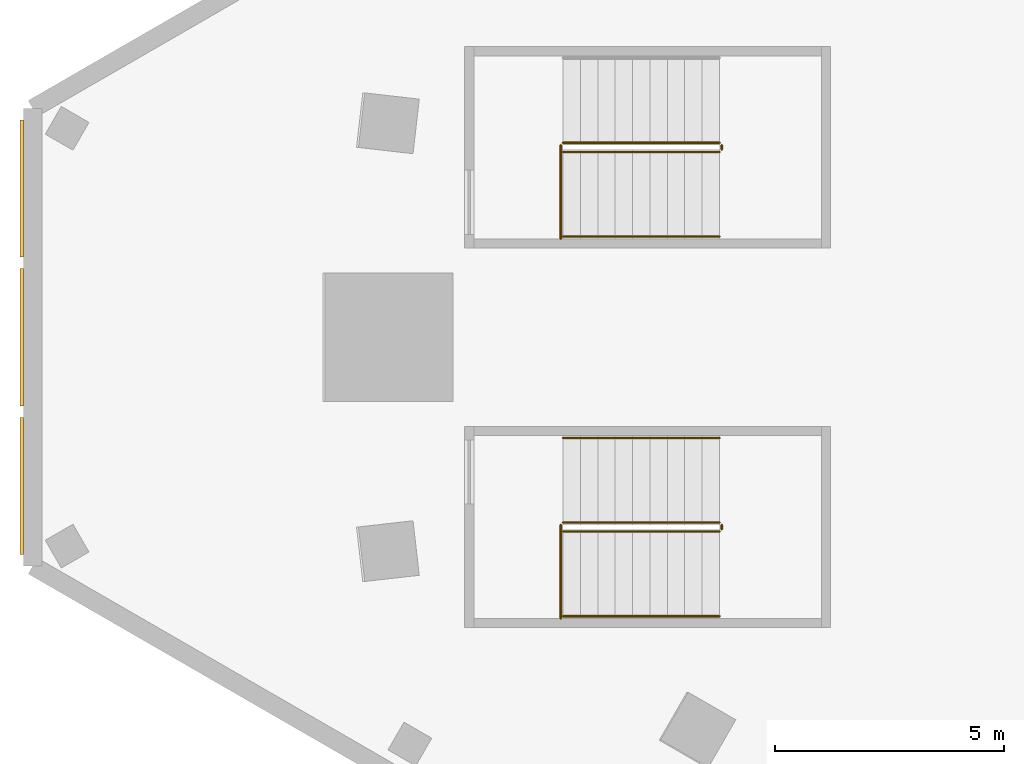
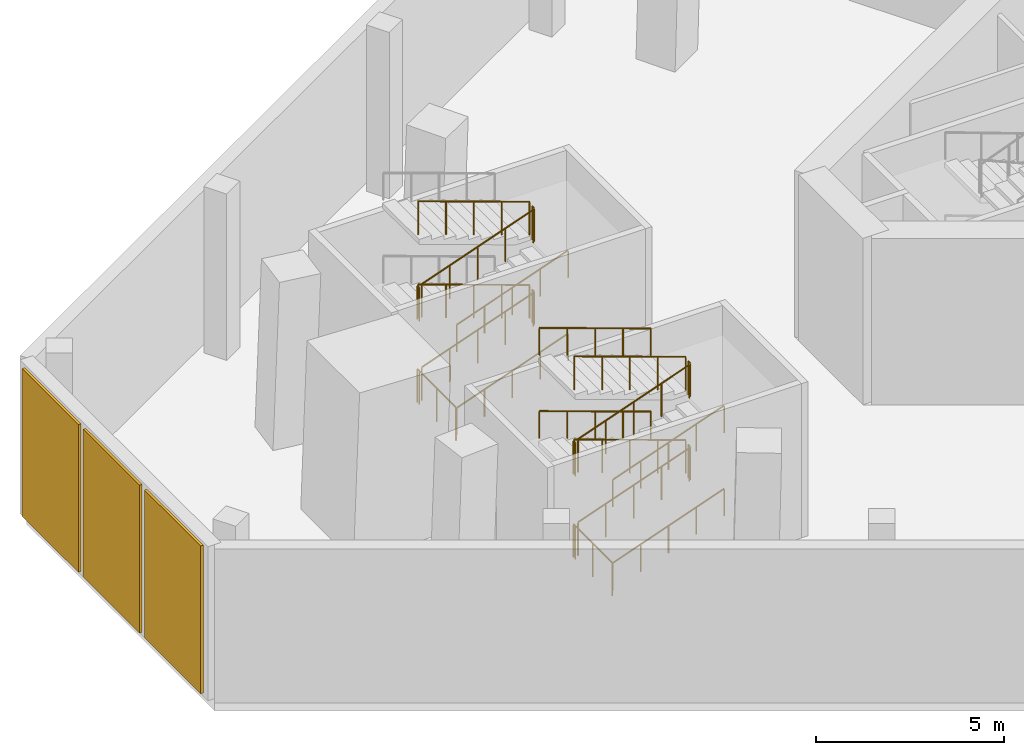
# One storey, part 21 of 35: 24 railings, 3 coverings.
"""IFC4 building model written with IfcOpenShell, lengths in metres."""

from ifc_helpers import new_model, si_unit, direction, frame, origin, origin_2d, place, context, subcontext, project, spatial, rectangle, circle, extrude, material, layer, layer_set, type_object, element, save


model = new_model("IFC4")

# Units and contexts
model_context = context("Model", 3, precision=1e-05, world=origin(), true_north=direction((0.0, 1.0)))
body_context = subcontext(model_context, "Body", "Model", "MODEL_VIEW")
ifc_project = project(units=[si_unit("LENGTHUNIT", "METRE"), si_unit("AREAUNIT", "SQUARE_METRE"), si_unit("VOLUMEUNIT", "CUBIC_METRE"), si_unit("PLANEANGLEUNIT", "RADIAN"), si_unit("MASSUNIT", "GRAM", prefix="KILO")], contexts=[model_context])

# Site, building, storey
site_placement = place(None, origin())
site = spatial("IfcSite", under=ifc_project, at=site_placement, CompositionType="ELEMENT")
building_placement = place(site_placement, origin())
building = spatial("IfcBuilding", under=site, at=building_placement, Name="Jabali Bay Hotel Tower and Convention Centre", CompositionType="ELEMENT")
storey_placement = place(building_placement, frame((0.0, 0.0, 15.0)))
storey = spatial("IfcBuildingStorey", under=building, at=storey_placement, Name="L02", CompositionType="ELEMENT", Elevation=15.0)

# Coverings
ifc_material_1 = material(Name="Precast concrete C40/50", Category="concrete")
ifc_layer = layer(ifc_material_1, 0.080078125)
ifc_layer_set = layer_set([ifc_layer], Name="Precast concrete C40/50")
covering_type = type_object("IfcCoveringType", Name="Relief panel 3000 x 4800", PredefinedType="CLADDING", material=ifc_layer_set)
for number, where, z_axis, x_axis, name in (
    (1, (26.420166015625, 76.75, 0.10009765625), (0.0, 0.0, 1.0), (0.0, 1.0, 0.0), "Relief panel L02"),
    (2, (26.420166015625, 80.0, 0.10009765625), (0.0, 0.0, 1.0), (0.0, 1.0, 0.0), "Relief panel L02"),
    (3, (26.420166015625, 83.25, 0.10009765625), (0.0, 0.0, 1.0), (0.0, 1.0, 0.0), "Relief panel L02"),
):
    element("IfcCovering", number, at=place(storey_placement, frame(where, z_axis=z_axis, x_axis=x_axis)), inside=storey, type_object=covering_type, Name=name, PredefinedType="CLADDING", context=body_context, shape_type="SweptSolid", body=[
        extrude(rectangle(XDim=3.0, YDim=0.080078125, at=origin_2d()), origin(), (0.0, 0.0, 1.0), 4.800048828125),
    ])

# Railings
ifc_material_2 = material(Name="Steel Q355B", Category="steel")
railing_type_1 = type_object("IfcRailingType", Name="Stair guard 1100", PredefinedType="GUARDRAIL", material=ifc_material_2)
railing_1_placement = place(storey_placement, frame((38.199951171875, 73.85009765625, 0.0)))
element("IfcRailing", 4, at=railing_1_placement, inside=storey, type_object=railing_type_1, Name="L02 PS1 top well guard 1", PredefinedType="GUARDRAIL", context=body_context, shape_type="SweptSolid", body=[
    extrude(circle(Radius=0.02392578125, at=origin_2d()), frame((0.0, 0.0, 1.076171875), z_axis=(0.0, 1.0, 0.0), x_axis=(-1.0, 0.0, 0.0)), (0.0, 0.0, 1.0), 2.0498046875),
    extrude(circle(Radius=0.02099609375, at=origin_2d()), origin(), (0.0, 0.0, 1.0), 1.052001953125),
    extrude(circle(Radius=0.02099609375, at=origin_2d()), frame((0.0, 1.02490234375, 0.0)), (0.0, 0.0, 1.0), 1.052001953125),
    extrude(circle(Radius=0.02099609375, at=origin_2d()), frame((0.0, 2.0498046875, 0.0)), (0.0, 0.0, 1.0), 1.052001953125),
])
railing_2_placement = place(storey_placement, frame((38.25, 75.75, 0.135009765625)))
element("IfcRailing", 5, at=railing_2_placement, inside=storey, type_object=railing_type_1, Name="L02 PS1 stair guard 1", PredefinedType="GUARDRAIL", context=body_context, shape_type="SweptSolid", body=[
    extrude(circle(Radius=0.02392578125, at=origin_2d()), frame((0.0, 0.0, 1.076171875), z_axis=(0.942291576983, 0.0, 0.334793345135), x_axis=(0.0, 1.0, 0.0)), (0.0, 0.0, 1.0), 3.62939453125),
    extrude(circle(Radius=0.02099609375, at=origin_2d()), origin(), (0.0, 0.0, 1.0), 1.052001953125),
    extrude(circle(Radius=0.02099609375, at=origin_2d()), frame((0.85498046875, 0.0, 0.3037109375)), (0.0, 0.0, 1.0), 1.052001953125),
    extrude(circle(Radius=0.02099609375, at=origin_2d()), frame((1.7099609375, 0.0, 0.607421875)), (0.0, 0.0, 1.0), 1.052001953125),
    extrude(circle(Radius=0.02099609375, at=origin_2d()), frame((2.56494140625, 0.0, 0.911376953125)), (0.0, 0.0, 1.0), 1.052001953125),
    extrude(circle(Radius=0.02099609375, at=origin_2d()), frame((3.419921875, 0.0, 1.215087890625)), (0.0, 0.0, 1.0), 1.052001953125),
])
railing_3_placement = place(storey_placement, frame((41.719970703125, 75.800048828125, 1.35009765625)))
element("IfcRailing", 6, at=railing_3_placement, inside=storey, type_object=railing_type_1, Name="L02 PS1 stair guard 2", PredefinedType="GUARDRAIL", context=body_context, shape_type="SweptSolid", body=[
    extrude(circle(Radius=0.02392578125, at=origin_2d()), frame((0.0, 0.0, 1.076171875), z_axis=(0.0, 1.0, 0.0), x_axis=(-1.0, 0.0, 0.0)), (0.0, 0.0, 1.0), 0.099853515625),
    extrude(circle(Radius=0.02099609375, at=origin_2d()), origin(), (0.0, 0.0, 1.0), 1.052001953125),
    extrude(circle(Radius=0.02099609375, at=origin_2d()), frame((0.0, 0.099853515625, 0.0)), (0.0, 0.0, 1.0), 1.052001953125),
])
railing_4_placement = place(storey_placement, frame((41.669921875, 75.949951171875, 1.485107421875)))
element("IfcRailing", 7, at=railing_4_placement, inside=storey, type_object=railing_type_1, Name="L02 PS1 stair guard 3", PredefinedType="GUARDRAIL", context=body_context, shape_type="SweptSolid", body=[
    extrude(circle(Radius=0.02392578125, at=origin_2d()), frame((0.0, 0.0, 1.076171875), z_axis=(-0.942312796835, 0.0, 0.334733614866), x_axis=(0.0, -1.0, 0.0)), (0.0, 0.0, 1.0), 3.62939453125),
    extrude(circle(Radius=0.02099609375, at=origin_2d()), origin(), (0.0, 0.0, 1.0), 1.052001953125),
    extrude(circle(Radius=0.02099609375, at=origin_2d()), frame((-0.85498046875, 0.0, 0.3037109375)), (0.0, 0.0, 1.0), 1.052001953125),
    extrude(circle(Radius=0.02099609375, at=origin_2d()), frame((-1.7099609375, 0.0, 0.607421875)), (0.0, 0.0, 1.0), 1.052001953125),
    extrude(circle(Radius=0.02099609375, at=origin_2d()), frame((-2.56494140625, 0.0, 0.9111328125)), (0.0, 0.0, 1.0), 1.052001953125),
    extrude(circle(Radius=0.02099609375, at=origin_2d()), frame((-3.419921875, 0.0, 1.21484375)), (0.0, 0.0, 1.0), 1.052001953125),
])
railing_5_placement = place(storey_placement, frame((38.199951171875, 75.800048828125, 2.699951171875)))
element("IfcRailing", 8, at=railing_5_placement, inside=storey, type_object=railing_type_1, Name="L02 PS1 stair guard 4", PredefinedType="GUARDRAIL", context=body_context, shape_type="SweptSolid", body=[
    extrude(circle(Radius=0.02392578125, at=origin_2d()), frame((0.0, 0.0, 1.076171875), z_axis=(0.0, 1.0, 0.0), x_axis=(-1.0, 0.0, 0.0)), (0.0, 0.0, 1.0), 0.099853515625),
    extrude(circle(Radius=0.02099609375, at=origin_2d()), origin(), (0.0, 0.0, 1.0), 1.052001953125),
    extrude(circle(Radius=0.02099609375, at=origin_2d()), frame((0.0, 0.099853515625, 0.0)), (0.0, 0.0, 1.0), 1.052001953125),
])
railing_6_placement = place(storey_placement, frame((38.25, 75.75, 2.8349609375)))
element("IfcRailing", 9, at=railing_6_placement, inside=storey, type_object=railing_type_1, Name="L02 PS1 stair guard 5", PredefinedType="GUARDRAIL", context=body_context, shape_type="SweptSolid", body=[
    extrude(circle(Radius=0.02392578125, at=origin_2d()), frame((0.0, 0.0, 1.076171875), z_axis=(0.942291576983, 0.0, 0.334793345135), x_axis=(0.0, 1.0, 0.0)), (0.0, 0.0, 1.0), 3.62939453125),
    extrude(circle(Radius=0.02099609375, at=origin_2d()), origin(), (0.0, 0.0, 1.0), 1.052001953125),
    extrude(circle(Radius=0.02099609375, at=origin_2d()), frame((0.85498046875, 0.0, 0.3037109375)), (0.0, 0.0, 1.0), 1.052001953125),
    extrude(circle(Radius=0.02099609375, at=origin_2d()), frame((1.7099609375, 0.0, 0.607421875)), (0.0, 0.0, 1.0), 1.052001953125),
    extrude(circle(Radius=0.02099609375, at=origin_2d()), frame((2.56494140625, 0.0, 0.911376953125)), (0.0, 0.0, 1.0), 1.052001953125),
    extrude(circle(Radius=0.02099609375, at=origin_2d()), frame((3.419921875, 0.0, 1.215087890625)), (0.0, 0.0, 1.0), 1.052001953125),
])
railing_7_placement = place(storey_placement, frame((41.719970703125, 75.800048828125, 4.050048828125)))
element("IfcRailing", 10, at=railing_7_placement, inside=storey, type_object=railing_type_1, Name="L02 PS1 stair guard 6", PredefinedType="GUARDRAIL", context=body_context, shape_type="SweptSolid", body=[
    extrude(circle(Radius=0.02392578125, at=origin_2d()), frame((0.0, 0.0, 1.076171875), z_axis=(0.0, 1.0, 0.0), x_axis=(-1.0, 0.0, 0.0)), (0.0, 0.0, 1.0), 0.099853515625),
    extrude(circle(Radius=0.02099609375, at=origin_2d()), origin(), (0.0, 0.0, 1.0), 1.052001953125),
    extrude(circle(Radius=0.02099609375, at=origin_2d()), frame((0.0, 0.099853515625, 0.0)), (0.0, 0.0, 1.0), 1.052001953125),
])
railing_8_placement = place(storey_placement, frame((41.669921875, 75.949951171875, 4.18505859375)))
element("IfcRailing", 11, at=railing_8_placement, inside=storey, type_object=railing_type_1, Name="L02 PS1 stair guard 7", PredefinedType="GUARDRAIL", context=body_context, shape_type="SweptSolid", body=[
    extrude(circle(Radius=0.02392578125, at=origin_2d()), frame((0.0, 0.0, 1.076171875), z_axis=(-0.942312796835, 0.0, 0.334733614866), x_axis=(0.0, -1.0, 0.0)), (0.0, 0.0, 1.0), 3.62939453125),
    extrude(circle(Radius=0.02099609375, at=origin_2d()), origin(), (0.0, 0.0, 1.0), 1.052001953125),
    extrude(circle(Radius=0.02099609375, at=origin_2d()), frame((-0.85498046875, 0.0, 0.3037109375)), (0.0, 0.0, 1.0), 1.052001953125),
    extrude(circle(Radius=0.02099609375, at=origin_2d()), frame((-1.7099609375, 0.0, 0.607421875)), (0.0, 0.0, 1.0), 1.052001953125),
    extrude(circle(Radius=0.02099609375, at=origin_2d()), frame((-2.56494140625, 0.0, 0.9111328125)), (0.0, 0.0, 1.0), 1.052001953125),
    extrude(circle(Radius=0.02099609375, at=origin_2d()), frame((-3.419921875, 0.0, 1.21484375)), (0.0, 0.0, 1.0), 1.052001953125),
])
railing_9_placement = place(storey_placement, frame((38.199951171875, 75.800048828125, 0.0)))
element("IfcRailing", 12, at=railing_9_placement, inside=storey, type_object=railing_type_1, Name="L02 PS1 stair guard 8", PredefinedType="GUARDRAIL", context=body_context, shape_type="SweptSolid", body=[
    extrude(circle(Radius=0.02392578125, at=origin_2d()), frame((0.0, 0.0, 1.076171875), z_axis=(0.0, 1.0, 0.0), x_axis=(-1.0, 0.0, 0.0)), (0.0, 0.0, 1.0), 0.099853515625),
    extrude(circle(Radius=0.02099609375, at=origin_2d()), origin(), (0.0, 0.0, 1.0), 1.052001953125),
    extrude(circle(Radius=0.02099609375, at=origin_2d()), frame((0.0, 0.099853515625, 0.0)), (0.0, 0.0, 1.0), 1.052001953125),
])
railing_10_placement = place(storey_placement, frame((38.199951171875, 82.14990234375, 0.0)))
element("IfcRailing", 13, at=railing_10_placement, inside=storey, type_object=railing_type_1, Name="L02 PS2 top well guard 1", PredefinedType="GUARDRAIL", context=body_context, shape_type="SweptSolid", body=[
    extrude(circle(Radius=0.02392578125, at=origin_2d()), frame((0.0, 0.0, 1.076171875), z_axis=(0.0, 1.0, 0.0), x_axis=(-1.0, 0.0, 0.0)), (0.0, 0.0, 1.0), 2.050048828125),
    extrude(circle(Radius=0.02099609375, at=origin_2d()), origin(), (0.0, 0.0, 1.0), 1.052001953125),
    extrude(circle(Radius=0.02099609375, at=origin_2d()), frame((0.0, 1.02490234375, 0.0)), (0.0, 0.0, 1.0), 1.052001953125),
    extrude(circle(Radius=0.02099609375, at=origin_2d()), frame((0.0, 2.050048828125, 0.0)), (0.0, 0.0, 1.0), 1.052001953125),
])
railing_11_placement = place(storey_placement, frame((38.25, 84.050048828125, 0.135009765625)))
element("IfcRailing", 14, at=railing_11_placement, inside=storey, type_object=railing_type_1, Name="L02 PS2 stair guard 1", PredefinedType="GUARDRAIL", context=body_context, shape_type="SweptSolid", body=[
    extrude(circle(Radius=0.02392578125, at=origin_2d()), frame((0.0, 0.0, 1.076171875), z_axis=(0.942291576983, 0.0, 0.334793345135), x_axis=(0.0, 1.0, 0.0)), (0.0, 0.0, 1.0), 3.62939453125),
    extrude(circle(Radius=0.02099609375, at=origin_2d()), origin(), (0.0, 0.0, 1.0), 1.052001953125),
    extrude(circle(Radius=0.02099609375, at=origin_2d()), frame((0.85498046875, 0.0, 0.3037109375)), (0.0, 0.0, 1.0), 1.052001953125),
    extrude(circle(Radius=0.02099609375, at=origin_2d()), frame((1.7099609375, 0.0, 0.607421875)), (0.0, 0.0, 1.0), 1.052001953125),
    extrude(circle(Radius=0.02099609375, at=origin_2d()), frame((2.56494140625, 0.0, 0.911376953125)), (0.0, 0.0, 1.0), 1.052001953125),
    extrude(circle(Radius=0.02099609375, at=origin_2d()), frame((3.419921875, 0.0, 1.215087890625)), (0.0, 0.0, 1.0), 1.052001953125),
])
railing_12_placement = place(storey_placement, frame((41.719970703125, 84.10009765625, 1.35009765625)))
element("IfcRailing", 15, at=railing_12_placement, inside=storey, type_object=railing_type_1, Name="L02 PS2 stair guard 2", PredefinedType="GUARDRAIL", context=body_context, shape_type="SweptSolid", body=[
    extrude(circle(Radius=0.02392578125, at=origin_2d()), frame((0.0, 0.0, 1.076171875), z_axis=(0.0, 1.0, 0.0), x_axis=(-1.0, 0.0, 0.0)), (0.0, 0.0, 1.0), 0.099853515625),
    extrude(circle(Radius=0.02099609375, at=origin_2d()), origin(), (0.0, 0.0, 1.0), 1.052001953125),
    extrude(circle(Radius=0.02099609375, at=origin_2d()), frame((0.0, 0.099853515625, 0.0)), (0.0, 0.0, 1.0), 1.052001953125),
])
railing_13_placement = place(storey_placement, frame((41.669921875, 84.25, 1.485107421875)))
element("IfcRailing", 16, at=railing_13_placement, inside=storey, type_object=railing_type_1, Name="L02 PS2 stair guard 3", PredefinedType="GUARDRAIL", context=body_context, shape_type="SweptSolid", body=[
    extrude(circle(Radius=0.02392578125, at=origin_2d()), frame((0.0, 0.0, 1.076171875), z_axis=(-0.942312796835, 0.0, 0.334733614866), x_axis=(0.0, -1.0, 0.0)), (0.0, 0.0, 1.0), 3.62939453125),
    extrude(circle(Radius=0.02099609375, at=origin_2d()), origin(), (0.0, 0.0, 1.0), 1.052001953125),
    extrude(circle(Radius=0.02099609375, at=origin_2d()), frame((-0.85498046875, 0.0, 0.3037109375)), (0.0, 0.0, 1.0), 1.052001953125),
    extrude(circle(Radius=0.02099609375, at=origin_2d()), frame((-1.7099609375, 0.0, 0.607421875)), (0.0, 0.0, 1.0), 1.052001953125),
    extrude(circle(Radius=0.02099609375, at=origin_2d()), frame((-2.56494140625, 0.0, 0.9111328125)), (0.0, 0.0, 1.0), 1.052001953125),
    extrude(circle(Radius=0.02099609375, at=origin_2d()), frame((-3.419921875, 0.0, 1.21484375)), (0.0, 0.0, 1.0), 1.052001953125),
])
railing_14_placement = place(storey_placement, frame((38.199951171875, 84.10009765625, 2.699951171875)))
element("IfcRailing", 17, at=railing_14_placement, inside=storey, type_object=railing_type_1, Name="L02 PS2 stair guard 4", PredefinedType="GUARDRAIL", context=body_context, shape_type="SweptSolid", body=[
    extrude(circle(Radius=0.02392578125, at=origin_2d()), frame((0.0, 0.0, 1.076171875), z_axis=(0.0, 1.0, 0.0), x_axis=(-1.0, 0.0, 0.0)), (0.0, 0.0, 1.0), 0.099853515625),
    extrude(circle(Radius=0.02099609375, at=origin_2d()), origin(), (0.0, 0.0, 1.0), 1.052001953125),
    extrude(circle(Radius=0.02099609375, at=origin_2d()), frame((0.0, 0.099853515625, 0.0)), (0.0, 0.0, 1.0), 1.052001953125),
])
railing_15_placement = place(storey_placement, frame((38.25, 84.050048828125, 2.8349609375)))
element("IfcRailing", 18, at=railing_15_placement, inside=storey, type_object=railing_type_1, Name="L02 PS2 stair guard 5", PredefinedType="GUARDRAIL", context=body_context, shape_type="SweptSolid", body=[
    extrude(circle(Radius=0.02392578125, at=origin_2d()), frame((0.0, 0.0, 1.076171875), z_axis=(0.942291576983, 0.0, 0.334793345135), x_axis=(0.0, 1.0, 0.0)), (0.0, 0.0, 1.0), 3.62939453125),
    extrude(circle(Radius=0.02099609375, at=origin_2d()), origin(), (0.0, 0.0, 1.0), 1.052001953125),
    extrude(circle(Radius=0.02099609375, at=origin_2d()), frame((0.85498046875, 0.0, 0.3037109375)), (0.0, 0.0, 1.0), 1.052001953125),
    extrude(circle(Radius=0.02099609375, at=origin_2d()), frame((1.7099609375, 0.0, 0.607421875)), (0.0, 0.0, 1.0), 1.052001953125),
    extrude(circle(Radius=0.02099609375, at=origin_2d()), frame((2.56494140625, 0.0, 0.911376953125)), (0.0, 0.0, 1.0), 1.052001953125),
    extrude(circle(Radius=0.02099609375, at=origin_2d()), frame((3.419921875, 0.0, 1.215087890625)), (0.0, 0.0, 1.0), 1.052001953125),
])
railing_16_placement = place(storey_placement, frame((41.719970703125, 84.10009765625, 4.050048828125)))
element("IfcRailing", 19, at=railing_16_placement, inside=storey, type_object=railing_type_1, Name="L02 PS2 stair guard 6", PredefinedType="GUARDRAIL", context=body_context, shape_type="SweptSolid", body=[
    extrude(circle(Radius=0.02392578125, at=origin_2d()), frame((0.0, 0.0, 1.076171875), z_axis=(0.0, 1.0, 0.0), x_axis=(-1.0, 0.0, 0.0)), (0.0, 0.0, 1.0), 0.099853515625),
    extrude(circle(Radius=0.02099609375, at=origin_2d()), origin(), (0.0, 0.0, 1.0), 1.052001953125),
    extrude(circle(Radius=0.02099609375, at=origin_2d()), frame((0.0, 0.099853515625, 0.0)), (0.0, 0.0, 1.0), 1.052001953125),
])
railing_17_placement = place(storey_placement, frame((41.669921875, 84.25, 4.18505859375)))
element("IfcRailing", 20, at=railing_17_placement, inside=storey, type_object=railing_type_1, Name="L02 PS2 stair guard 7", PredefinedType="GUARDRAIL", context=body_context, shape_type="SweptSolid", body=[
    extrude(circle(Radius=0.02392578125, at=origin_2d()), frame((0.0, 0.0, 1.076171875), z_axis=(-0.942312796835, 0.0, 0.334733614866), x_axis=(0.0, -1.0, 0.0)), (0.0, 0.0, 1.0), 3.62939453125),
    extrude(circle(Radius=0.02099609375, at=origin_2d()), origin(), (0.0, 0.0, 1.0), 1.052001953125),
    extrude(circle(Radius=0.02099609375, at=origin_2d()), frame((-0.85498046875, 0.0, 0.3037109375)), (0.0, 0.0, 1.0), 1.052001953125),
    extrude(circle(Radius=0.02099609375, at=origin_2d()), frame((-1.7099609375, 0.0, 0.607421875)), (0.0, 0.0, 1.0), 1.052001953125),
    extrude(circle(Radius=0.02099609375, at=origin_2d()), frame((-2.56494140625, 0.0, 0.9111328125)), (0.0, 0.0, 1.0), 1.052001953125),
    extrude(circle(Radius=0.02099609375, at=origin_2d()), frame((-3.419921875, 0.0, 1.21484375)), (0.0, 0.0, 1.0), 1.052001953125),
])
railing_18_placement = place(storey_placement, frame((38.199951171875, 84.10009765625, 0.0)))
element("IfcRailing", 21, at=railing_18_placement, inside=storey, type_object=railing_type_1, Name="L02 PS2 stair guard 8", PredefinedType="GUARDRAIL", context=body_context, shape_type="SweptSolid", body=[
    extrude(circle(Radius=0.02392578125, at=origin_2d()), frame((0.0, 0.0, 1.076171875), z_axis=(0.0, 1.0, 0.0), x_axis=(-1.0, 0.0, 0.0)), (0.0, 0.0, 1.0), 0.099853515625),
    extrude(circle(Radius=0.02099609375, at=origin_2d()), origin(), (0.0, 0.0, 1.0), 1.052001953125),
    extrude(circle(Radius=0.02099609375, at=origin_2d()), frame((0.0, 0.099853515625, 0.0)), (0.0, 0.0, 1.0), 1.052001953125),
])
railing_type_2 = type_object("IfcRailingType", Name="Stair handrail 900", PredefinedType="HANDRAIL", material=ifc_material_2)
railing_19_placement = place(storey_placement, frame((38.25, 73.89990234375, 0.135009765625)))
element("IfcRailing", 22, at=railing_19_placement, inside=storey, type_object=railing_type_2, Name="L02 PS1 stair handrail 1", PredefinedType="HANDRAIL", context=body_context, shape_type="SweptSolid", body=[
    extrude(circle(Radius=0.02392578125, at=origin_2d()), frame((0.0, 0.0, 0.8759765625), z_axis=(0.942291576983, 0.0, 0.334793345135), x_axis=(0.0, 1.0, 0.0)), (0.0, 0.0, 1.0), 3.62939453125),
    extrude(circle(Radius=0.02099609375, at=origin_2d()), origin(), (0.0, 0.0, 1.0), 0.851806640625),
    extrude(circle(Radius=0.02099609375, at=origin_2d()), frame((0.85498046875, 0.0, 0.3037109375)), (0.0, 0.0, 1.0), 0.851806640625),
    extrude(circle(Radius=0.02099609375, at=origin_2d()), frame((1.7099609375, 0.0, 0.607421875)), (0.0, 0.0, 1.0), 0.851806640625),
    extrude(circle(Radius=0.02099609375, at=origin_2d()), frame((2.56494140625, 0.0, 0.911376953125)), (0.0, 0.0, 1.0), 0.851806640625),
    extrude(circle(Radius=0.02099609375, at=origin_2d()), frame((3.419921875, 0.0, 1.215087890625)), (0.0, 0.0, 1.0), 0.851806640625),
])
railing_20_placement = place(storey_placement, frame((41.669921875, 77.800048828125, 1.485107421875)))
element("IfcRailing", 23, at=railing_20_placement, inside=storey, type_object=railing_type_2, Name="L02 PS1 stair handrail 2", PredefinedType="HANDRAIL", context=body_context, shape_type="SweptSolid", body=[
    extrude(circle(Radius=0.02392578125, at=origin_2d()), frame((0.0, 0.0, 0.8759765625), z_axis=(-0.942312796835, 0.0, 0.334733614866), x_axis=(0.0, -1.0, 0.0)), (0.0, 0.0, 1.0), 3.62939453125),
    extrude(circle(Radius=0.02099609375, at=origin_2d()), origin(), (0.0, 0.0, 1.0), 0.851806640625),
    extrude(circle(Radius=0.02099609375, at=origin_2d()), frame((-0.85498046875, 0.0, 0.3037109375)), (0.0, 0.0, 1.0), 0.851806640625),
    extrude(circle(Radius=0.02099609375, at=origin_2d()), frame((-1.7099609375, 0.0, 0.607421875)), (0.0, 0.0, 1.0), 0.851806640625),
    extrude(circle(Radius=0.02099609375, at=origin_2d()), frame((-2.56494140625, 0.0, 0.9111328125)), (0.0, 0.0, 1.0), 0.851806640625),
    extrude(circle(Radius=0.02099609375, at=origin_2d()), frame((-3.419921875, 0.0, 1.21484375)), (0.0, 0.0, 1.0), 0.851806640625),
])
railing_21_placement = place(storey_placement, frame((38.25, 73.89990234375, 2.8349609375)))
element("IfcRailing", 24, at=railing_21_placement, inside=storey, type_object=railing_type_2, Name="L02 PS1 stair handrail 3", PredefinedType="HANDRAIL", context=body_context, shape_type="SweptSolid", body=[
    extrude(circle(Radius=0.02392578125, at=origin_2d()), frame((0.0, 0.0, 0.8759765625), z_axis=(0.942291576983, 0.0, 0.334793345135), x_axis=(0.0, 1.0, 0.0)), (0.0, 0.0, 1.0), 3.62939453125),
    extrude(circle(Radius=0.02099609375, at=origin_2d()), origin(), (0.0, 0.0, 1.0), 0.851806640625),
    extrude(circle(Radius=0.02099609375, at=origin_2d()), frame((0.85498046875, 0.0, 0.3037109375)), (0.0, 0.0, 1.0), 0.851806640625),
    extrude(circle(Radius=0.02099609375, at=origin_2d()), frame((1.7099609375, 0.0, 0.607421875)), (0.0, 0.0, 1.0), 0.851806640625),
    extrude(circle(Radius=0.02099609375, at=origin_2d()), frame((2.56494140625, 0.0, 0.911376953125)), (0.0, 0.0, 1.0), 0.851806640625),
    extrude(circle(Radius=0.02099609375, at=origin_2d()), frame((3.419921875, 0.0, 1.215087890625)), (0.0, 0.0, 1.0), 0.851806640625),
])
railing_22_placement = place(storey_placement, frame((41.669921875, 77.800048828125, 4.18505859375)))
element("IfcRailing", 25, at=railing_22_placement, inside=storey, type_object=railing_type_2, Name="L02 PS1 stair handrail 4", PredefinedType="HANDRAIL", context=body_context, shape_type="SweptSolid", body=[
    extrude(circle(Radius=0.02392578125, at=origin_2d()), frame((0.0, 0.0, 0.8759765625), z_axis=(-0.942312796835, 0.0, 0.334733614866), x_axis=(0.0, -1.0, 0.0)), (0.0, 0.0, 1.0), 3.62939453125),
    extrude(circle(Radius=0.02099609375, at=origin_2d()), origin(), (0.0, 0.0, 1.0), 0.851806640625),
    extrude(circle(Radius=0.02099609375, at=origin_2d()), frame((-0.85498046875, 0.0, 0.3037109375)), (0.0, 0.0, 1.0), 0.851806640625),
    extrude(circle(Radius=0.02099609375, at=origin_2d()), frame((-1.7099609375, 0.0, 0.607421875)), (0.0, 0.0, 1.0), 0.851806640625),
    extrude(circle(Radius=0.02099609375, at=origin_2d()), frame((-2.56494140625, 0.0, 0.9111328125)), (0.0, 0.0, 1.0), 0.851806640625),
    extrude(circle(Radius=0.02099609375, at=origin_2d()), frame((-3.419921875, 0.0, 1.21484375)), (0.0, 0.0, 1.0), 0.851806640625),
])
for number, where, name in (
    (26, (38.25, 82.199951171875, 0.135009765625), "L02 PS2 stair handrail 1"),
    (27, (38.25, 82.199951171875, 2.8349609375), "L02 PS2 stair handrail 3"),
):
    element("IfcRailing", number, at=place(storey_placement, frame(where)), inside=storey, type_object=railing_type_2, Name=name, PredefinedType="HANDRAIL", context=body_context, shape_type="SweptSolid", body=[
        extrude(circle(Radius=0.02392578125, at=origin_2d()), frame((0.0, 0.0, 0.8759765625), z_axis=(0.942291576983, 0.0, 0.334793345135), x_axis=(0.0, 1.0, 0.0)), (0.0, 0.0, 1.0), 3.62939453125),
        extrude(circle(Radius=0.02099609375, at=origin_2d()), origin(), (0.0, 0.0, 1.0), 0.851806640625),
        extrude(circle(Radius=0.02099609375, at=origin_2d()), frame((0.85498046875, 0.0, 0.3037109375)), (0.0, 0.0, 1.0), 0.851806640625),
        extrude(circle(Radius=0.02099609375, at=origin_2d()), frame((1.7099609375, 0.0, 0.607421875)), (0.0, 0.0, 1.0), 0.851806640625),
        extrude(circle(Radius=0.02099609375, at=origin_2d()), frame((2.56494140625, 0.0, 0.911376953125)), (0.0, 0.0, 1.0), 0.851806640625),
        extrude(circle(Radius=0.02099609375, at=origin_2d()), frame((3.419921875, 0.0, 1.215087890625)), (0.0, 0.0, 1.0), 0.851806640625),
    ])

save(model, "model.ifc")
